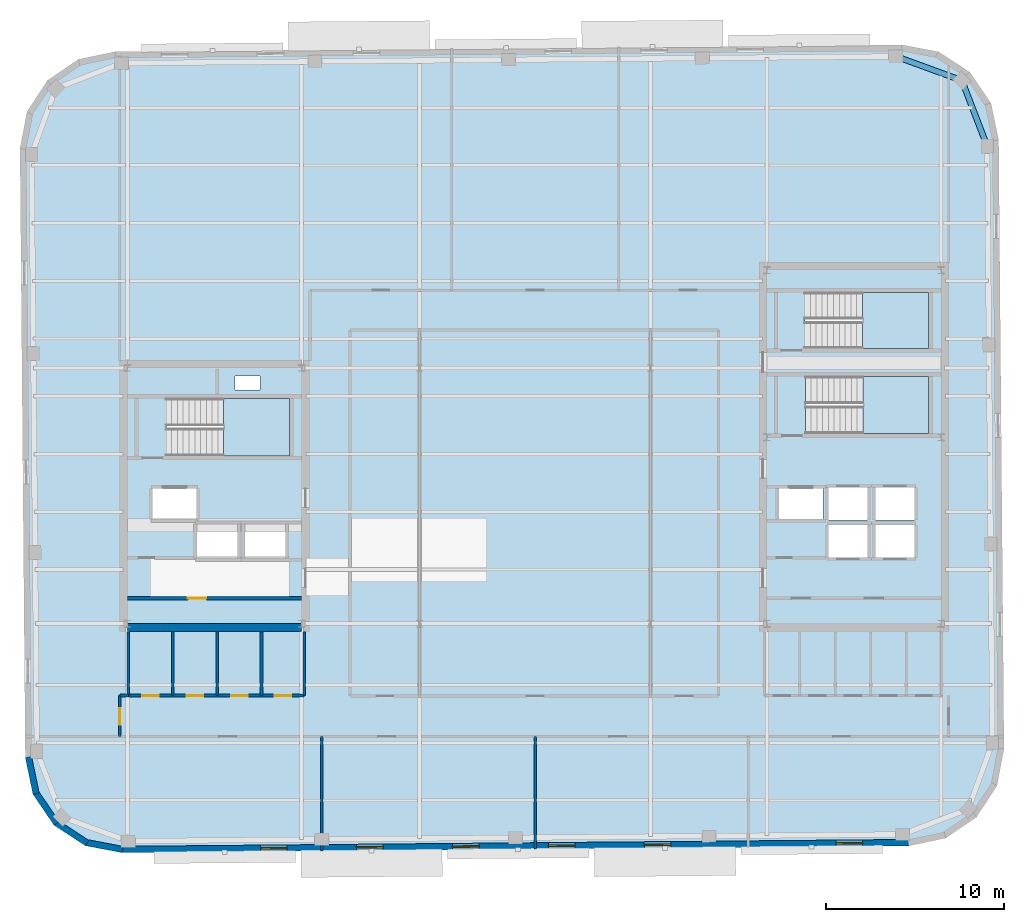
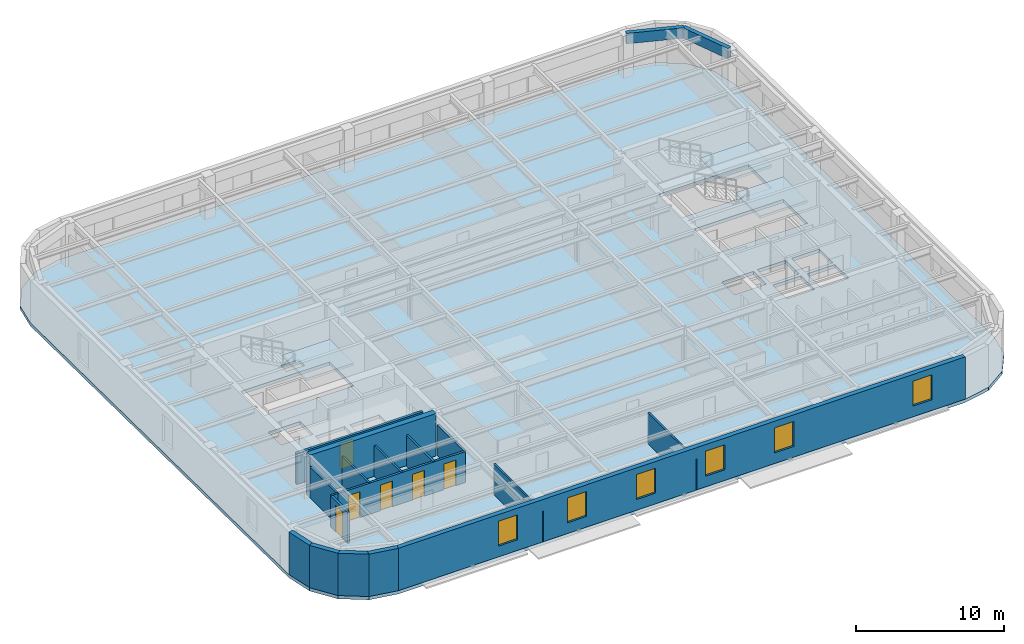
# One storey, part 6 of 13: 17 walls, 6 doors, 6 windows, 4 slabs, 2 beams, 12 openings, 3 elements without a shape of their own.
"""IFC4 building model written with IfcOpenShell, lengths in metres."""

from ifc_helpers import new_model, si_unit, direction, frame, frame_2d, origin, origin_2d, place, context, subcontext, project, spatial, polyline, rectangle, hollow_rectangle, outline, extrude, material, layer, layer_set, material_profile, profile_set, type_object, element, fill, aggregate, save


model = new_model("IFC4")

# Units and contexts
model_context = context("Model", 3, precision=1e-05, world=origin(), true_north=direction((0.0, 1.0)))
body_context = subcontext(model_context, "Body", "Model", "MODEL_VIEW")
ifc_project = project(units=[si_unit("LENGTHUNIT", "METRE"), si_unit("AREAUNIT", "SQUARE_METRE"), si_unit("VOLUMEUNIT", "CUBIC_METRE"), si_unit("PLANEANGLEUNIT", "RADIAN"), si_unit("MASSUNIT", "GRAM", prefix="KILO")], contexts=[model_context])

# Site, building, storey
site_placement = place(None, origin())
site = spatial("IfcSite", under=ifc_project, at=site_placement, CompositionType="ELEMENT")
building_placement = place(site_placement, origin())
building = spatial("IfcBuilding", under=site, at=building_placement, Name="Kolvaren Arena Tower", CompositionType="ELEMENT")
storey_placement = place(building_placement, frame((0.0, 0.0, 278.64990234375)))
storey = spatial("IfcBuildingStorey", under=building, at=storey_placement, Name="L68", CompositionType="ELEMENT", Elevation=278.64990234375)

# Beams
ifc_material_1 = material(Name="Steel CSA G40.21 350WT", Category="steel")
ifc_material_profile = material_profile(ifc_material_1, hollow_rectangle(XDim=0.320068359375, YDim=0.860107421875, WallThickness=0.01806640625, at=origin_2d()), Name="HSS 860x320x18")
ifc_profile_set = profile_set([ifc_material_profile], Name="Steel CSA G40.21 350WT")
beam_type = type_object("IfcBeamType", Name="SPAND-02", PredefinedType="SPANDREL", material=ifc_profile_set)
for number, where, z_axis, x_axis, name in (
    (1, (62.952392578125, 46.333984375, 3.050048828125), (-0.359383792094, 0.933189846698, 0.0), (-0.933189846698, -0.359383792094, 0.0), "Perimeter Spandrel Beam (L68)"),
    (2, (61.52880859375, 50.030517578125, 3.050048828125), (-0.939313819882, 0.343059102458, 0.0), (-0.343059102458, -0.939313819882, 0.0), "Perimeter Spandrel Beam (L68)"),
):
    element("IfcBeam", number, at=place(storey_placement, frame(where, z_axis=z_axis, x_axis=x_axis)), inside=storey, type_object=beam_type, Name=name, PredefinedType="SPANDREL", context=body_context, shape_type="SweptSolid", body=[
        extrude(hollow_rectangle(XDim=0.320068359375, YDim=0.860107421875, WallThickness=0.01806640625, at=origin_2d()), origin(), (0.0, 0.0, 1.0), 3.961181640625),
    ])

# Stair, slab
ifc_material_2 = material(Name="Concrete 45 MPa", Category="concrete")
stair_type_1 = type_object("IfcStairType", Name="STAIR-CORE-165", PredefinedType="HALF_TURN_STAIR", material=ifc_material_2)
stair_1_placement = place(storey_placement, origin())
stair_1 = element("IfcStair", 3, at=stair_1_placement, inside=storey, type_object=stair_type_1, Name="L68 ST-W1", PredefinedType="HALF_TURN_STAIR")
ifc_layer_1 = layer(ifc_material_2, 0.199951171875)
ifc_layer_set_1 = layer_set([ifc_layer_1], Name="Concrete 45 MPa")
slab_type_1 = type_object("IfcSlabType", Name="SLAB-LAND", PredefinedType="LANDING", material=ifc_layer_set_1)
slab_1_placement = place(storey_placement, frame((0.0, 0.0, 1.675048828125)))
slab_1 = element("IfcSlab", 4, at=slab_1_placement, type_object=slab_type_1, Name="ST-W1 landing 1", PredefinedType="LANDING", context=body_context, shape_type="SweptSolid", body=[
    extrude(outline(polyline([(19.9599609375, 28.89990234375), (23.659912109375, 28.89990234375), (23.659912109375, 32.1298828125), (19.9599609375, 32.1298828125), (19.9599609375, 28.89990234375)])), origin(), (0.0, 0.0, 1.0), 0.199951171875),
])
aggregate(stair_1, [slab_1])

stair_2_placement = place(storey_placement, origin())
stair_2 = element("IfcStair", 5, at=stair_2_placement, inside=storey, type_object=stair_type_1, Name="L68 ST-E1", PredefinedType="HALF_TURN_STAIR")
slab_2_placement = place(storey_placement, frame((0.0, 0.0, 1.675048828125)))
slab_2 = element("IfcSlab", 6, at=slab_2_placement, type_object=slab_type_1, Name="ST-E1 landing 1", PredefinedType="LANDING", context=body_context, shape_type="SweptSolid", body=[
    extrude(outline(polyline([(55.9599609375, 30.14990234375), (59.659912109375, 30.14990234375), (59.659912109375, 33.3798828125), (55.9599609375, 33.3798828125), (55.9599609375, 30.14990234375)])), origin(), (0.0, 0.0, 1.0), 0.199951171875),
])
aggregate(stair_2, [slab_2])

stair_type_2 = type_object("IfcStairType", Name="STAIR-CORE-150", PredefinedType="HALF_TURN_STAIR", material=ifc_material_2)
stair_3_placement = place(storey_placement, origin())
stair_3 = element("IfcStair", 7, at=stair_3_placement, inside=storey, type_object=stair_type_2, Name="L68 ST-E2", PredefinedType="HALF_TURN_STAIR")
slab_3_placement = place(storey_placement, frame((0.0, 0.0, 1.675048828125)))
slab_3 = element("IfcSlab", 8, at=slab_3_placement, type_object=slab_type_1, Name="ST-E2 landing 1", PredefinedType="LANDING", context=body_context, shape_type="SweptSolid", body=[
    extrude(outline(polyline([(55.919921875, 34.949951171875), (59.659912109375, 34.949951171875), (59.659912109375, 38.10009765625), (55.919921875, 38.10009765625), (55.919921875, 34.949951171875)])), origin(), (0.0, 0.0, 1.0), 0.199951171875),
])
aggregate(stair_3, [slab_3])

# Slab
ifc_layer_2 = layer(ifc_material_2, 0.27001953125)
ifc_layer_set_2 = layer_set([ifc_layer_2], Name="Concrete 45 MPa")
slab_type_2 = type_object("IfcSlabType", Name="SLAB-OFF2", PredefinedType="FLOOR", material=ifc_layer_set_2)
slab_4_placement = place(storey_placement, frame((0.0, 0.0, -0.27001953125)))
element("IfcSlab", 9, at=slab_4_placement, inside=storey, type_object=slab_type_2, Name="L68 Primary Structural Slab", PredefinedType="FLOOR", context=body_context, shape_type="SweptSolid", body=[
    extrude(outline(polyline([(58.5458984375, 6.944091796875), (60.60888671875, 7.373291015625), (62.350341796875, 8.55908203125), (63.505615234375, 10.321044921875), (63.898681640625, 12.39111328125), (63.599365234375, 46.689697265625), (63.170166015625, 48.752685546875), (61.984375, 50.494140625), (60.222412109375, 51.6494140625), (58.15234375, 52.04248046875), (13.85400390625, 51.65576171875), (11.791259765625, 51.226806640625), (10.049560546875, 50.041015625), (8.894287109375, 48.27880859375), (8.50146484375, 46.208984375), (8.80078125, 11.91015625), (9.229736328125, 9.847412109375), (10.41552734375, 8.105712890625), (12.177490234375, 6.95068359375), (14.24755859375, 6.5576171875), (58.5458984375, 6.944091796875)]), holes=[polyline([(20.739990234375, 23.135009765625), (18.4599609375, 23.135009765625), (18.4599609375, 25.06494140625), (20.739990234375, 25.06494140625), (20.739990234375, 23.135009765625)]), polyline([(21.159912109375, 23.135009765625), (21.159912109375, 25.06494140625), (23.43994140625, 25.06494140625), (23.43994140625, 23.135009765625), (21.159912109375, 23.135009765625)]), polyline([(56.2099609375, 23.18505859375), (54.030029296875, 23.18505859375), (54.030029296875, 25.014892578125), (56.2099609375, 25.014892578125), (56.2099609375, 23.18505859375)]), polyline([(56.669921875, 23.18505859375), (56.669921875, 25.014892578125), (58.85009765625, 25.014892578125), (58.85009765625, 23.18505859375), (56.669921875, 23.18505859375)]), polyline([(54.030029296875, 25.284912109375), (54.030029296875, 27.114990234375), (56.2099609375, 27.114990234375), (56.2099609375, 25.284912109375), (54.030029296875, 25.284912109375)]), polyline([(58.85009765625, 25.284912109375), (56.669921875, 25.284912109375), (56.669921875, 27.114990234375), (58.85009765625, 27.114990234375), (58.85009765625, 25.284912109375)]), polyline([(15.9599609375, 25.3349609375), (15.9599609375, 27.06494140625), (18.43994140625, 27.06494140625), (18.43994140625, 25.3349609375), (15.9599609375, 25.3349609375)]), polyline([(53.699951171875, 25.3349609375), (51.219970703125, 25.3349609375), (51.219970703125, 27.06494140625), (53.699951171875, 27.06494140625), (53.699951171875, 25.3349609375)]), polyline([(16.735107421875, 28.89990234375), (16.735107421875, 32.1298828125), (23.659912109375, 32.1298828125), (23.659912109375, 28.89990234375), (16.735107421875, 28.89990234375)]), polyline([(52.735107421875, 30.14990234375), (52.735107421875, 33.3798828125), (59.659912109375, 33.3798828125), (59.659912109375, 30.14990234375), (52.735107421875, 30.14990234375)]), polyline([(20.60009765625, 32.6201171875), (20.60009765625, 33.39990234375), (22.0, 33.39990234375), (22.0, 32.6201171875), (20.60009765625, 32.6201171875)]), polyline([(52.695068359375, 34.949951171875), (52.695068359375, 38.10009765625), (59.659912109375, 38.10009765625), (59.659912109375, 34.949951171875), (52.695068359375, 34.949951171875)])]), origin(), (0.0, 0.0, 1.0), 0.27001953125),
])

# Wall, opening, door
ifc_material_3 = material(Name="Gypsum board acoustic assembly", Category="gypsum")
ifc_layer_3 = layer(ifc_material_3, 0.159912109375)
ifc_layer_set_3 = layer_set([ifc_layer_3], Name="Gypsum board acoustic assembly")
wall_type_1 = type_object("IfcWallType", Name="CORR-160", PredefinedType="PARTITIONING", material=ifc_layer_set_3)
wall_1_placement = place(storey_placement, frame((14.1201171875, 13.10009765625, 0.0), z_axis=(0.0, 0.0, 1.0), x_axis=(0.0, 1.0, 0.0)))
wall_1 = element("IfcWall", 10, at=wall_1_placement, inside=storey, type_object=wall_type_1, Name="Interior Partition Wall (L68)", PredefinedType="PARTITIONING", context=body_context, shape_type="SweptSolid", body=[
    extrude(rectangle(XDim=2.2998046875, YDim=0.159912109375, at=frame_2d((1.14990234375, 0.0))), origin(), (0.0, 0.0, 1.0), 2.5400390625),
])
opening_1_placement = place(wall_1_placement, frame((0.64990234375, 0.0, 0.0)))
opening_1 = element("IfcOpeningElement", 11, at=opening_1_placement, cuts=wall_1, Name="Opening D05", PredefinedType="OPENING", context=body_context, shape_type="SweptSolid", body=[
    extrude(rectangle(XDim=0.949951171875, YDim=2.14990234375, at=frame_2d((0.47509765625, 1.074951171875))), frame((0.0, 0.08984375, 0.0), z_axis=(0.0, -1.0, 0.0), x_axis=(1.0, 0.0, 0.0)), (0.0, 0.0, 1.0), 0.179931640625),
])
ifc_material_4 = material(Name="Solid-core oak acoustic office door", Category="wood")
door_type_1 = type_object("IfcDoorType", Name="DOOR-OF-095", OperationType="NOTDEFINED", PredefinedType="DOOR", material=ifc_material_4)
door_1_placement = place(opening_1_placement, origin())
door_1 = element("IfcDoor", 12, at=door_1_placement, inside=storey, type_object=door_type_1, Name="West Wing Office Door (L68)", OperationType="SINGLE_SWING_LEFT", OverallHeight=2.14990234375, OverallWidth=0.949951171875, PredefinedType="DOOR", context=body_context, shape_type="SweptSolid", body=[
    extrude(rectangle(XDim=0.949951171875, YDim=2.14990234375, at=frame_2d((0.47509765625, 1.074951171875))), frame((0.0, 0.02490234375, 0.0), z_axis=(0.0, -1.0, 0.0), x_axis=(1.0, 0.0, 0.0)), (0.0, 0.0, 1.0), 0.050048828125),
])
fill(opening_1, door_1)

# Walls
wall_2_placement = place(storey_placement, frame((14.1201171875, 15.39990234375, 0.0), z_axis=(0.0, 0.0, 1.0), x_axis=(1.0, 0.0, 0.0)))
element("IfcWall", 13, at=wall_2_placement, inside=storey, type_object=wall_type_1, Name="Interior Partition Wall (L68)", PredefinedType="PARTITIONING", context=body_context, shape_type="SweptSolid", body=[
    extrude(rectangle(XDim=0.5, YDim=0.159912109375, at=frame_2d((0.25, 0.0))), origin(), (0.0, 0.0, 1.0), 2.5400390625),
])
ifc_material_5 = material(Name="Concrete 55 MPa", Category="concrete")
ifc_layer_4 = layer(ifc_material_5, 0.449951171875)
ifc_layer_set_4 = layer_set([ifc_layer_4], Name="Concrete 55 MPa")
wall_type_2 = type_object("IfcWallType", Name="CWALL-450", PredefinedType="SHEAR", material=ifc_layer_set_4)
wall_3_placement = place(storey_placement, frame((14.550048828125, 19.22509765625, -0.27001953125), z_axis=(0.0, 0.0, 1.0), x_axis=(1.0, 0.0, 0.0)))
element("IfcWall", 14, at=wall_3_placement, inside=storey, type_object=wall_type_2, Name="Core Shear Wall WC-SOUTH (L68)", PredefinedType="SHEAR", context=body_context, shape_type="SweptSolid", body=[
    extrude(rectangle(XDim=9.800048828125, YDim=0.449951171875, at=frame_2d((4.89990234375, 0.0))), origin(), (0.0, 0.0, 1.0), 3.75),
])
ifc_material_6 = material(Name="Precast concrete C50/60", Category="concrete")
ifc_layer_5 = layer(ifc_material_6, 0.360107421875)
ifc_layer_set_5 = layer_set([ifc_layer_5], Name="Precast concrete C50/60")
wall_type_3 = type_object("IfcWallType", Name="EXT-PIER2", PredefinedType="SOLIDWALL", material=ifc_layer_set_5)
wall_4_placement = place(storey_placement, frame((9.406005859375, 9.884033203125, 0.0), z_axis=(0.0, 0.0, 1.0), x_axis=(-0.203685893209, 0.979036289883, 0.0)))
element("IfcWall", 15, at=wall_4_placement, inside=storey, type_object=wall_type_3, Name="Exterior Precast Masonry-Frame Wall (L68)", PredefinedType="SOLIDWALL", context=body_context, shape_type="SweptSolid", body=[
    extrude(rectangle(XDim=2.107177734375, YDim=0.360107421875, at=frame_2d((1.0537109375, 0.0))), origin(), (0.0, 0.0, 1.0), 3.47998046875),
])
for number, where, z_axis, x_axis, name in (
    (16, (10.564453125, 8.20703125, 0.0), (0.0, 0.0, 1.0), (-0.56277581689, 0.826609569219, 0.0), "Exterior Precast Masonry-Frame Wall (L68)"),
    (17, (12.2763671875, 7.10107421875, 0.0), (0.0, 0.0, 1.0), (-0.836268756678, 0.548319766745, 0.0), "Exterior Precast Masonry-Frame Wall (L68)"),
):
    element("IfcWall", number, at=place(storey_placement, frame(where, z_axis=z_axis, x_axis=x_axis)), inside=storey, type_object=wall_type_3, Name=name, PredefinedType="SOLIDWALL", context=body_context, shape_type="SweptSolid", body=[
        extrude(rectangle(XDim=2.10693359375, YDim=0.360107421875, at=frame_2d((1.053466796875, 0.0))), origin(), (0.0, 0.0, 1.0), 3.47998046875),
    ])
wall_5_placement = place(storey_placement, frame((14.28125, 6.734375, 0.0), z_axis=(0.0, 0.0, 1.0), x_axis=(-0.982445905584, 0.186547695246, 0.0)))
element("IfcWall", 18, at=wall_5_placement, inside=storey, type_object=wall_type_3, Name="Exterior Precast Masonry-Frame Wall (L68)", PredefinedType="SOLIDWALL", context=body_context, shape_type="SweptSolid", body=[
    extrude(rectangle(XDim=2.107177734375, YDim=0.360107421875, at=frame_2d((1.0537109375, 0.0))), origin(), (0.0, 0.0, 1.0), 3.47998046875),
])

# Wall, openings, windows
wall_6_placement = place(storey_placement, frame((58.544189453125, 7.124267578125, 0.0), z_axis=(0.0, 0.0, 1.0), x_axis=(-0.999961896442, -0.008729585516, 0.0)))
wall_6 = element("IfcWall", 19, at=wall_6_placement, inside=storey, type_object=wall_type_3, Name="Exterior Precast Masonry-Frame Wall (L68)", PredefinedType="SOLIDWALL", context=body_context, shape_type="SweptSolid", body=[
    extrude(rectangle(XDim=44.2998046875, YDim=0.360107421875, at=frame_2d((22.14990234375, 0.0))), origin(), (0.0, 0.0, 1.0), 3.47998046875),
])
opening_2_placement = place(wall_6_placement, frame((2.60009765625, 0.0, 0.8798828125)))
opening_2 = element("IfcOpeningElement", 20, at=opening_2_placement, cuts=wall_6, Name="Opening W03", PredefinedType="OPENING", context=body_context, shape_type="SweptSolid", body=[
    extrude(rectangle(XDim=1.5, YDim=2.050048828125, at=frame_2d((0.75, 1.02490234375))), frame((0.0, 0.18994140625, 0.0), z_axis=(0.0, -1.0, 0.0), x_axis=(1.0, 0.0, 0.0)), (0.0, 0.0, 1.0), 0.380126953125),
])
opening_3_placement = place(wall_6_placement, frame((13.39990234375, 0.0, 0.8798828125)))
opening_3 = element("IfcOpeningElement", 21, at=opening_3_placement, cuts=wall_6, Name="Opening W03", PredefinedType="OPENING", context=body_context, shape_type="SweptSolid", body=[
    extrude(rectangle(XDim=1.5, YDim=2.050048828125, at=frame_2d((0.75, 1.02490234375))), frame((0.0, 0.18994140625, 0.0), z_axis=(0.0, -1.0, 0.0), x_axis=(1.0, 0.0, 0.0)), (0.0, 0.0, 1.0), 0.380126953125),
])
opening_4_placement = place(wall_6_placement, frame((18.800048828125, 0.0, 0.8798828125)))
opening_4 = element("IfcOpeningElement", 22, at=opening_4_placement, cuts=wall_6, Name="Opening W03", PredefinedType="OPENING", context=body_context, shape_type="SweptSolid", body=[
    extrude(rectangle(XDim=1.5, YDim=2.050048828125, at=frame_2d((0.75, 1.02490234375))), frame((0.0, 0.18994140625, 0.0), z_axis=(0.0, -1.0, 0.0), x_axis=(1.0, 0.0, 0.0)), (0.0, 0.0, 1.0), 0.380126953125),
])
opening_5_placement = place(wall_6_placement, frame((24.199951171875, 0.0, 0.8798828125)))
opening_5 = element("IfcOpeningElement", 23, at=opening_5_placement, cuts=wall_6, Name="Opening W03", PredefinedType="OPENING", context=body_context, shape_type="SweptSolid", body=[
    extrude(rectangle(XDim=1.5, YDim=2.050048828125, at=frame_2d((0.75, 1.02490234375))), frame((0.0, 0.18994140625, 0.0), z_axis=(0.0, -1.0, 0.0), x_axis=(1.0, 0.0, 0.0)), (0.0, 0.0, 1.0), 0.380126953125),
])
opening_6_placement = place(wall_6_placement, frame((29.60009765625, 0.0, 0.8798828125)))
opening_6 = element("IfcOpeningElement", 24, at=opening_6_placement, cuts=wall_6, Name="Opening W03", PredefinedType="OPENING", context=body_context, shape_type="SweptSolid", body=[
    extrude(rectangle(XDim=1.5, YDim=2.050048828125, at=frame_2d((0.75, 1.02490234375))), frame((0.0, 0.18994140625, 0.0), z_axis=(0.0, -1.0, 0.0), x_axis=(1.0, 0.0, 0.0)), (0.0, 0.0, 1.0), 0.380126953125),
])
opening_7_placement = place(wall_6_placement, frame((35.0, 0.0, 0.8798828125)))
opening_7 = element("IfcOpeningElement", 25, at=opening_7_placement, cuts=wall_6, Name="Opening W03", PredefinedType="OPENING", context=body_context, shape_type="SweptSolid", body=[
    extrude(rectangle(XDim=1.5, YDim=2.050048828125, at=frame_2d((0.75, 1.02490234375))), frame((0.0, 0.18994140625, 0.0), z_axis=(0.0, -1.0, 0.0), x_axis=(1.0, 0.0, 0.0)), (0.0, 0.0, 1.0), 0.380126953125),
])
ifc_material_7 = material(Name="Triple-glazed low-E aluminium window", Category="aluminium")
window_type = type_object("IfcWindowType", Name="WIN-OFF-C", PartitioningType="SINGLE_PANEL", PredefinedType="WINDOW", material=ifc_material_7)
window_1_placement = place(opening_2_placement, origin())
window_1 = element("IfcWindow", 26, at=window_1_placement, inside=storey, type_object=window_type, Name="Punched Precast-Pier Window (L68)", OverallHeight=2.050048828125, OverallWidth=1.5, PartitioningType="SINGLE_PANEL", PredefinedType="WINDOW", context=body_context, shape_type="SweptSolid", body=[
    extrude(rectangle(XDim=1.5, YDim=2.050048828125, at=frame_2d((0.75, 1.02490234375))), frame((0.0, 0.030029296875, 0.0), z_axis=(0.0, -1.0, 0.0), x_axis=(1.0, 0.0, 0.0)), (0.0, 0.0, 1.0), 0.06005859375),
])
fill(opening_2, window_1)
window_2_placement = place(opening_3_placement, origin())
window_2 = element("IfcWindow", 27, at=window_2_placement, inside=storey, type_object=window_type, Name="Punched Precast-Pier Window (L68)", OverallHeight=2.050048828125, OverallWidth=1.5, PartitioningType="SINGLE_PANEL", PredefinedType="WINDOW", context=body_context, shape_type="SweptSolid", body=[
    extrude(rectangle(XDim=1.5, YDim=2.050048828125, at=frame_2d((0.75, 1.02490234375))), frame((0.0, 0.030029296875, 0.0), z_axis=(0.0, -1.0, 0.0), x_axis=(1.0, 0.0, 0.0)), (0.0, 0.0, 1.0), 0.06005859375),
])
fill(opening_3, window_2)
window_3_placement = place(opening_4_placement, origin())
window_3 = element("IfcWindow", 28, at=window_3_placement, inside=storey, type_object=window_type, Name="Punched Precast-Pier Window (L68)", OverallHeight=2.050048828125, OverallWidth=1.5, PartitioningType="SINGLE_PANEL", PredefinedType="WINDOW", context=body_context, shape_type="SweptSolid", body=[
    extrude(rectangle(XDim=1.5, YDim=2.050048828125, at=frame_2d((0.75, 1.02490234375))), frame((0.0, 0.030029296875, 0.0), z_axis=(0.0, -1.0, 0.0), x_axis=(1.0, 0.0, 0.0)), (0.0, 0.0, 1.0), 0.06005859375),
])
fill(opening_4, window_3)
window_4_placement = place(opening_5_placement, origin())
window_4 = element("IfcWindow", 29, at=window_4_placement, inside=storey, type_object=window_type, Name="Punched Precast-Pier Window (L68)", OverallHeight=2.050048828125, OverallWidth=1.5, PartitioningType="SINGLE_PANEL", PredefinedType="WINDOW", context=body_context, shape_type="SweptSolid", body=[
    extrude(rectangle(XDim=1.5, YDim=2.050048828125, at=frame_2d((0.75, 1.02490234375))), frame((0.0, 0.030029296875, 0.0), z_axis=(0.0, -1.0, 0.0), x_axis=(1.0, 0.0, 0.0)), (0.0, 0.0, 1.0), 0.06005859375),
])
fill(opening_5, window_4)
window_5_placement = place(opening_6_placement, origin())
window_5 = element("IfcWindow", 30, at=window_5_placement, inside=storey, type_object=window_type, Name="Punched Precast-Pier Window (L68)", OverallHeight=2.050048828125, OverallWidth=1.5, PartitioningType="SINGLE_PANEL", PredefinedType="WINDOW", context=body_context, shape_type="SweptSolid", body=[
    extrude(rectangle(XDim=1.5, YDim=2.050048828125, at=frame_2d((0.75, 1.02490234375))), frame((0.0, 0.030029296875, 0.0), z_axis=(0.0, -1.0, 0.0), x_axis=(1.0, 0.0, 0.0)), (0.0, 0.0, 1.0), 0.06005859375),
])
fill(opening_6, window_5)
window_6_placement = place(opening_7_placement, origin())
window_6 = element("IfcWindow", 31, at=window_6_placement, inside=storey, type_object=window_type, Name="Punched Precast-Pier Window (L68)", OverallHeight=2.050048828125, OverallWidth=1.5, PartitioningType="SINGLE_PANEL", PredefinedType="WINDOW", context=body_context, shape_type="SweptSolid", body=[
    extrude(rectangle(XDim=1.5, YDim=2.050048828125, at=frame_2d((0.75, 1.02490234375))), frame((0.0, 0.030029296875, 0.0), z_axis=(0.0, -1.0, 0.0), x_axis=(1.0, 0.0, 0.0)), (0.0, 0.0, 1.0), 0.06005859375),
])
fill(opening_7, window_6)

# Wall, opening, door
ifc_material_8 = material(Name="Concrete 40 MPa", Category="concrete")
ifc_layer_6 = layer(ifc_material_8, 0.199951171875)
ifc_layer_set_6 = layer_set([ifc_layer_6], Name="Concrete 40 MPa")
wall_type_4 = type_object("IfcWallType", Name="LOBBY-200", PredefinedType="SOLIDWALL", material=ifc_layer_set_6)
wall_7_placement = place(storey_placement, frame((14.550048828125, 20.8798828125, 0.0), z_axis=(0.0, 0.0, 1.0), x_axis=(1.0, 0.0, 0.0)))
wall_7 = element("IfcWall", 32, at=wall_7_placement, inside=storey, type_object=wall_type_4, Name="Core Shaft Wall (L68)", PredefinedType="SOLIDWALL", context=body_context, shape_type="SweptSolid", body=[
    extrude(rectangle(XDim=9.800048828125, YDim=0.199951171875, at=frame_2d((4.89990234375, 0.0))), origin(), (0.0, 0.0, 1.0), 2.5400390625),
])
opening_8_placement = place(wall_7_placement, frame((3.39990234375, 0.0, 0.0)))
opening_8 = element("IfcOpeningElement", 33, at=opening_8_placement, cuts=wall_7, Name="Opening D04", PredefinedType="OPENING", context=body_context, shape_type="SweptSolid", body=[
    extrude(rectangle(XDim=1.050048828125, YDim=2.14990234375, at=frame_2d((0.52490234375, 1.074951171875))), frame((0.0, 0.10986328125, 0.0), z_axis=(0.0, -1.0, 0.0), x_axis=(1.0, 0.0, 0.0)), (0.0, 0.0, 1.0), 0.219970703125),
])
ifc_material_9 = material(Name="Fire-rated steel lobby door", Category="steel")
door_type_2 = type_object("IfcDoorType", Name="DOOR-FF-105", OperationType="NOTDEFINED", PredefinedType="DOOR", material=ifc_material_9)
door_2_placement = place(opening_8_placement, origin())
door_2 = element("IfcDoor", 34, at=door_2_placement, inside=storey, type_object=door_type_2, Name="West IT Room Fire Door (L68)", OperationType="SINGLE_SWING_LEFT", OverallHeight=2.14990234375, OverallWidth=1.050048828125, PredefinedType="DOOR", context=body_context, shape_type="SweptSolid", body=[
    extrude(rectangle(XDim=1.050048828125, YDim=2.14990234375, at=frame_2d((0.52490234375, 1.074951171875))), frame((0.0, 0.02490234375, 0.0), z_axis=(0.0, -1.0, 0.0), x_axis=(1.0, 0.0, 0.0)), (0.0, 0.0, 1.0), 0.050048828125),
])
fill(opening_8, door_2)

# Walls
ifc_material_10 = material(Name="Gypsum board partition assembly", Category="gypsum")
ifc_layer_7 = layer(ifc_material_10, 0.135009765625)
ifc_layer_set_7 = layer_set([ifc_layer_7], Name="Gypsum board partition assembly")
wall_type_5 = type_object("IfcWallType", Name="PART-135", PredefinedType="PARTITIONING", material=ifc_layer_set_7)
wall_8_placement = place(storey_placement, frame((25.5, 6.65576171875, 0.0), z_axis=(0.0, 0.0, 1.0), x_axis=(0.0, 1.0, 0.0)))
element("IfcWall", 35, at=wall_8_placement, inside=storey, type_object=wall_type_5, Name="Interior Partition Wall (L68)", PredefinedType="PARTITIONING", context=body_context, shape_type="SweptSolid", body=[
    extrude(rectangle(XDim=6.4443359375, YDim=0.135009765625, at=frame_2d((3.22216796875, 0.0))), origin(), (0.0, 0.0, 1.0), 2.5400390625),
])
wall_9_placement = place(storey_placement, frame((37.5, 6.760498046875, 0.0), z_axis=(0.0, 0.0, 1.0), x_axis=(0.0, 1.0, 0.0)))
element("IfcWall", 36, at=wall_9_placement, inside=storey, type_object=wall_type_5, Name="Interior Partition Wall (L68)", PredefinedType="PARTITIONING", context=body_context, shape_type="SweptSolid", body=[
    extrude(rectangle(XDim=6.339599609375, YDim=0.135009765625, at=frame_2d((3.169921875, 0.0))), origin(), (0.0, 0.0, 1.0), 2.5400390625),
])
ifc_material_11 = material(Name="Moisture-resistant gypsum assembly", Category="gypsum")
ifc_layer_8 = layer(ifc_material_11, 0.14990234375)
ifc_layer_set_8 = layer_set([ifc_layer_8], Name="Moisture-resistant gypsum assembly")
wall_type_6 = type_object("IfcWallType", Name="WETW-150", PredefinedType="PARTITIONING", material=ifc_layer_set_8)
for number, where, z_axis, x_axis, name in (
    (37, (17.10009765625, 15.39990234375, 0.0), (0.0, 0.0, 1.0), (0.0, 1.0, 0.0), "Interior Partition Wall (L68)"),
    (38, (19.60009765625, 15.39990234375, 0.0), (0.0, 0.0, 1.0), (0.0, 1.0, 0.0), "Interior Partition Wall (L68)"),
    (39, (22.10009765625, 15.39990234375, 0.0), (0.0, 0.0, 1.0), (0.0, 1.0, 0.0), "Interior Partition Wall (L68)"),
):
    element("IfcWall", number, at=place(storey_placement, frame(where, z_axis=z_axis, x_axis=x_axis)), inside=storey, type_object=wall_type_6, Name=name, PredefinedType="PARTITIONING", context=body_context, shape_type="SweptSolid", body=[
        extrude(rectangle(XDim=3.580078125, YDim=0.14990234375, at=frame_2d((1.7900390625, 0.0))), origin(), (0.0, 0.0, 1.0), 2.5400390625),
    ])

# Wall, openings, doors
wall_10_placement = place(storey_placement, frame((14.60009765625, 15.39990234375, 0.0), z_axis=(0.0, 0.0, 1.0), x_axis=(1.0, 0.0, 0.0)))
wall_10 = element("IfcWall", 40, at=wall_10_placement, inside=storey, type_object=wall_type_6, Name="Interior Partition Wall (L68)", PredefinedType="PARTITIONING", context=body_context, shape_type="SweptSolid", body=[
    extrude(rectangle(XDim=9.89990234375, YDim=0.179931640625, at=frame_2d((4.949951171875, 0.0))), origin(), (0.0, 0.0, 1.0), 2.5400390625),
])
opening_9_placement = place(wall_10_placement, frame((0.7900390625, 0.0, 0.0)))
opening_9 = element("IfcOpeningElement", 41, at=opening_9_placement, cuts=wall_10, Name="Opening D07", PredefinedType="OPENING", context=body_context, shape_type="SweptSolid", body=[
    extrude(rectangle(XDim=0.919921875, YDim=2.10009765625, at=frame_2d((0.4599609375, 1.050048828125))), frame((0.0, 0.099853515625, 0.0), z_axis=(0.0, -1.0, 0.0), x_axis=(1.0, 0.0, 0.0)), (0.0, 0.0, 1.0), 0.199951171875),
])
opening_10_placement = place(wall_10_placement, frame((3.2900390625, 0.0, 0.0)))
opening_10 = element("IfcOpeningElement", 42, at=opening_10_placement, cuts=wall_10, Name="Opening D07", PredefinedType="OPENING", context=body_context, shape_type="SweptSolid", body=[
    extrude(rectangle(XDim=0.919921875, YDim=2.10009765625, at=frame_2d((0.4599609375, 1.050048828125))), frame((0.0, 0.099853515625, 0.0), z_axis=(0.0, -1.0, 0.0), x_axis=(1.0, 0.0, 0.0)), (0.0, 0.0, 1.0), 0.199951171875),
])
opening_11_placement = place(wall_10_placement, frame((5.7900390625, 0.0, 0.0)))
opening_11 = element("IfcOpeningElement", 43, at=opening_11_placement, cuts=wall_10, Name="Opening D07", PredefinedType="OPENING", context=body_context, shape_type="SweptSolid", body=[
    extrude(rectangle(XDim=0.919921875, YDim=2.10009765625, at=frame_2d((0.4599609375, 1.050048828125))), frame((0.0, 0.099853515625, 0.0), z_axis=(0.0, -1.0, 0.0), x_axis=(1.0, 0.0, 0.0)), (0.0, 0.0, 1.0), 0.199951171875),
])
opening_12_placement = place(wall_10_placement, frame((8.239990234375, 0.0, 0.0)))
opening_12 = element("IfcOpeningElement", 44, at=opening_12_placement, cuts=wall_10, Name="Opening D07", PredefinedType="OPENING", context=body_context, shape_type="SweptSolid", body=[
    extrude(rectangle(XDim=0.919921875, YDim=2.10009765625, at=frame_2d((0.4599609375, 1.050048828125))), frame((0.0, 0.099853515625, 0.0), z_axis=(0.0, -1.0, 0.0), x_axis=(1.0, 0.0, 0.0)), (0.0, 0.0, 1.0), 0.199951171875),
])
ifc_material_12 = material(Name="Laminate universal washroom door", Category="wood")
door_type_3 = type_object("IfcDoorType", Name="DOOR-WC-092", OperationType="NOTDEFINED", PredefinedType="DOOR", material=ifc_material_12)
door_3_placement = place(opening_9_placement, origin())
door_3 = element("IfcDoor", 45, at=door_3_placement, inside=storey, type_object=door_type_3, Name="Women Restroom Door (L68)", OperationType="SINGLE_SWING_RIGHT", OverallHeight=2.10009765625, OverallWidth=0.919921875, PredefinedType="DOOR", context=body_context, shape_type="SweptSolid", body=[
    extrude(rectangle(XDim=0.919921875, YDim=2.10009765625, at=frame_2d((0.4599609375, 1.050048828125))), frame((0.0, 0.02490234375, 0.0), z_axis=(0.0, -1.0, 0.0), x_axis=(1.0, 0.0, 0.0)), (0.0, 0.0, 1.0), 0.050048828125),
])
fill(opening_9, door_3)
door_4_placement = place(opening_10_placement, origin())
door_4 = element("IfcDoor", 46, at=door_4_placement, inside=storey, type_object=door_type_3, Name="Men Restroom Door (L68)", OperationType="SINGLE_SWING_LEFT", OverallHeight=2.10009765625, OverallWidth=0.919921875, PredefinedType="DOOR", context=body_context, shape_type="SweptSolid", body=[
    extrude(rectangle(XDim=0.919921875, YDim=2.10009765625, at=frame_2d((0.4599609375, 1.050048828125))), frame((0.0, 0.02490234375, 0.0), z_axis=(0.0, -1.0, 0.0), x_axis=(1.0, 0.0, 0.0)), (0.0, 0.0, 1.0), 0.050048828125),
])
fill(opening_10, door_4)
door_5_placement = place(opening_11_placement, origin())
door_5 = element("IfcDoor", 47, at=door_5_placement, inside=storey, type_object=door_type_3, Name="Universal Barrier-Free Washroom Door (L68)", OperationType="SINGLE_SWING_RIGHT", OverallHeight=2.10009765625, OverallWidth=0.919921875, PredefinedType="DOOR", context=body_context, shape_type="SweptSolid", body=[
    extrude(rectangle(XDim=0.919921875, YDim=2.10009765625, at=frame_2d((0.4599609375, 1.050048828125))), frame((0.0, 0.02490234375, 0.0), z_axis=(0.0, -1.0, 0.0), x_axis=(1.0, 0.0, 0.0)), (0.0, 0.0, 1.0), 0.050048828125),
])
fill(opening_11, door_5)
door_6_placement = place(opening_12_placement, origin())
door_6 = element("IfcDoor", 48, at=door_6_placement, inside=storey, type_object=door_type_3, Name="Linen Store Door (L68)", OperationType="SINGLE_SWING_LEFT", OverallHeight=2.10009765625, OverallWidth=0.919921875, PredefinedType="DOOR", context=body_context, shape_type="SweptSolid", body=[
    extrude(rectangle(XDim=0.919921875, YDim=2.10009765625, at=frame_2d((0.4599609375, 1.050048828125))), frame((0.0, 0.02490234375, 0.0), z_axis=(0.0, -1.0, 0.0), x_axis=(1.0, 0.0, 0.0)), (0.0, 0.0, 1.0), 0.050048828125),
])
fill(opening_12, door_6)

# Walls
for number, where, z_axis, x_axis, name in (
    (49, (14.60009765625, 15.39990234375, 0.0), (0.0, 0.0, 1.0), (0.0, 1.0, 0.0), "Interior Partition Wall (L68)"),
    (50, (24.5, 15.39990234375, 0.0), (0.0, 0.0, 1.0), (0.0, 1.0, 0.0), "Interior Partition Wall (L68)"),
):
    element("IfcWall", number, at=place(storey_placement, frame(where, z_axis=z_axis, x_axis=x_axis)), inside=storey, type_object=wall_type_6, Name=name, PredefinedType="PARTITIONING", context=body_context, shape_type="SweptSolid", body=[
        extrude(rectangle(XDim=3.580078125, YDim=0.14990234375, at=frame_2d((1.7900390625, 0.0))), origin(), (0.0, 0.0, 1.0), 2.5400390625),
    ])

save(model, "model.ifc")
